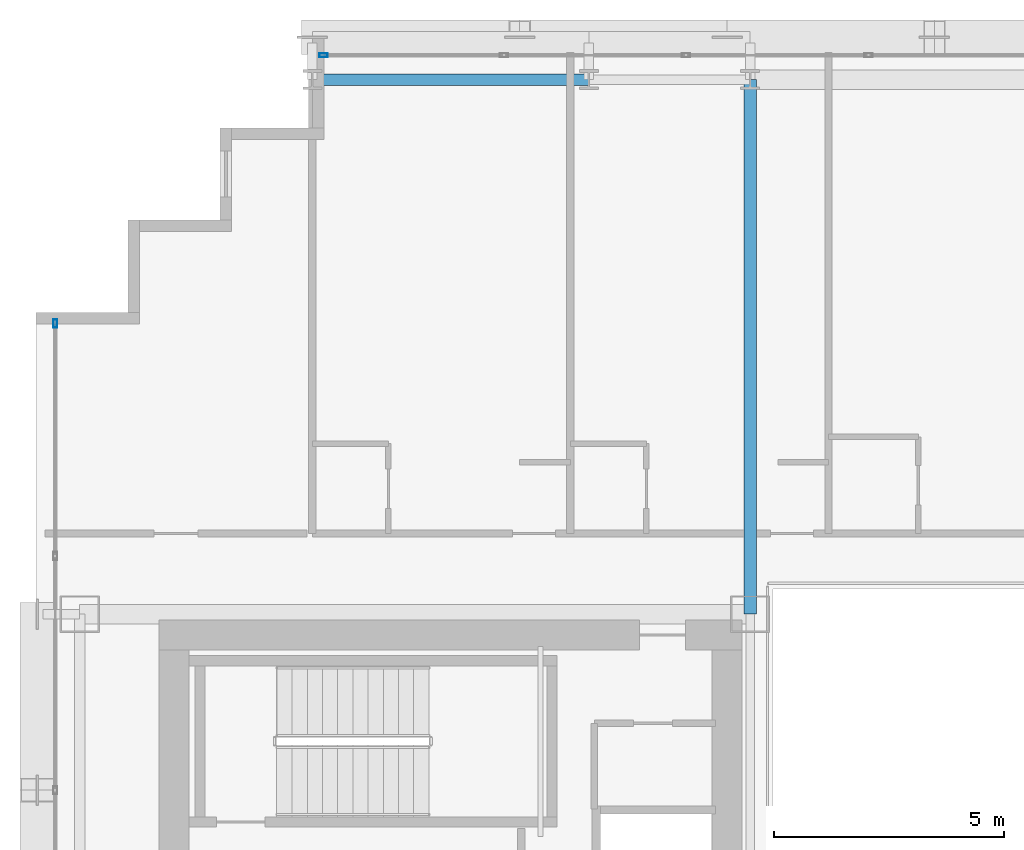
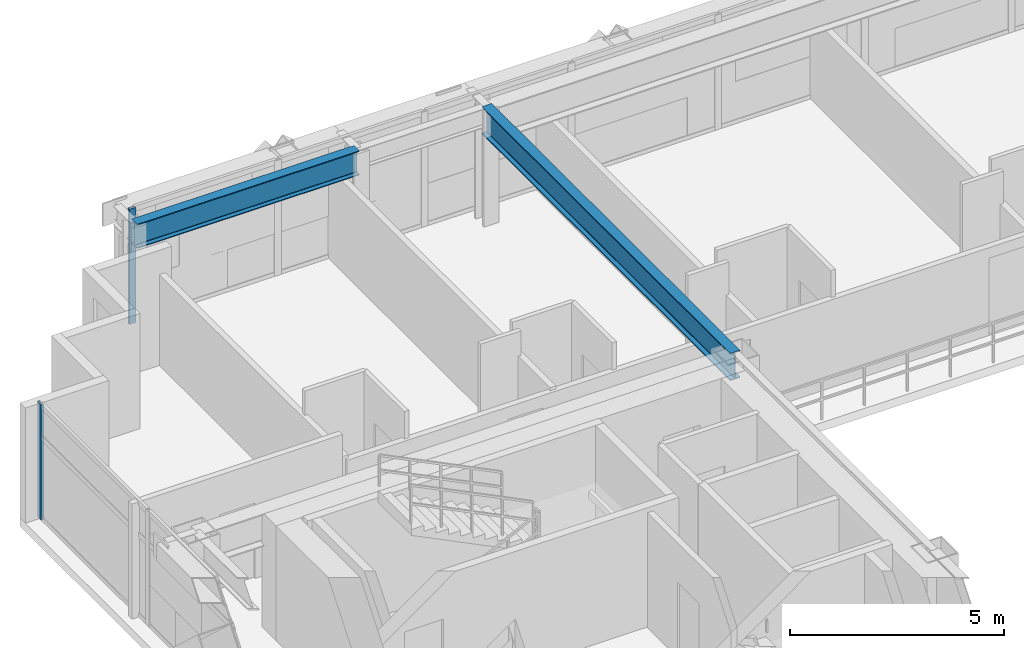
# One storey, part 17 of 36: 2 beams, 2 members, 2 elements without a shape of their own.
"""IFC4 building model written with IfcOpenShell, lengths in metres."""

from ifc_helpers import new_model, si_unit, direction, frame, origin, origin_2d, place, context, subcontext, project, spatial, hollow_rectangle, i_section, extrude, source, transform, mapped, material, layer, layer_set, material_profile, profile_set, type_object, element, aggregate, save


model = new_model("IFC4")

# Units and contexts
model_context = context("Model", 3, precision=1e-05, world=origin(), true_north=direction((0.0, 1.0)))
body_context = subcontext(model_context, "Body", "Model", "MODEL_VIEW")
ifc_project = project(units=[si_unit("LENGTHUNIT", "METRE"), si_unit("AREAUNIT", "SQUARE_METRE"), si_unit("VOLUMEUNIT", "CUBIC_METRE"), si_unit("PLANEANGLEUNIT", "RADIAN"), si_unit("MASSUNIT", "GRAM", prefix="KILO")], contexts=[model_context])

# Site, building, storey
site_placement = place(None, origin())
site = spatial("IfcSite", under=ifc_project, at=site_placement, CompositionType="ELEMENT")
building_placement = place(site_placement, origin())
building = spatial("IfcBuilding", under=site, at=building_placement, Name="Ocotamira Hotel", CompositionType="ELEMENT")
storey_placement = place(building_placement, frame((0.0, 0.0, 147.60009765625)))
storey = spatial("IfcBuildingStorey", under=building, at=storey_placement, Name="L37", CompositionType="ELEMENT", Elevation=147.60009765625)

# Beams
ifc_material_1 = material(Name="Steel ASTM A992 Grade 50", Category="steel")
ifc_material_profile_1 = material_profile(ifc_material_1, i_section(OverallWidth=0.256103515625, OverallDepth=0.693115234375, WebThickness=0.014404296875, FlangeThickness=0.023681640625, FilletRadius=0.01611328125, at=origin_2d()), Name="W27X114")
ifc_profile_set_1 = profile_set([ifc_material_profile_1], Name="Steel ASTM A992 Grade 50")
beam_type_1 = type_object("IfcBeamType", Name="BM-PRIM-W27X114", PredefinedType="BEAM", material=ifc_profile_set_1)
shared_shape_1 = source(origin(), body_context, "Body", "SweptSolid", [
    extrude(i_section(OverallWidth=0.256103515625, OverallDepth=0.693115234375, WebThickness=0.014404296875, FlangeThickness=0.023681640625, FilletRadius=0.01611328125, at=origin_2d()), origin(), (0.0, 0.0, 1.0), 6.0),
])
beam_1_placement = place(storey_placement, frame((14.0, 49.050048828125, 2.933349609375), z_axis=(1.0, 0.0, 0.0), x_axis=(0.0, 1.0, 0.0)))
element("IfcBeam", 1, at=beam_1_placement, inside=storey, type_object=beam_type_1, Name="L37 Girder Y49.05 X14-20", PredefinedType="BEAM", context=body_context, shape_type="MappedRepresentation", body=[
    mapped(shared_shape_1, transform((0.0, 0.0, 0.0), scale=1.0)),
])
ifc_material_profile_2 = material_profile(ifc_material_1, i_section(OverallWidth=0.26611328125, OverallDepth=0.779052734375, WebThickness=0.0166015625, FlangeThickness=0.030029296875, FilletRadius=0.01806640625, at=origin_2d()), Name="W30X148")
ifc_profile_set_2 = profile_set([ifc_material_profile_2], Name="Steel ASTM A992 Grade 50")
beam_type_2 = type_object("IfcBeamType", Name="BM-GIRD-W30X148", PredefinedType="BEAM", material=ifc_profile_set_2)
shared_shape_2 = source(origin(), body_context, "Body", "SweptSolid", [
    extrude(i_section(OverallWidth=0.26611328125, OverallDepth=0.779052734375, WebThickness=0.0166015625, FlangeThickness=0.030029296875, FilletRadius=0.01806640625, at=origin_2d()), origin(), (0.0, 0.0, 1.0), 11.60009765625),
])
beam_2_placement = place(storey_placement, frame((23.5, 37.449951171875, 2.890380859375), z_axis=(0.0, 1.0, 0.0), x_axis=(-1.0, 0.0, 0.0)))
element("IfcBeam", 2, at=beam_2_placement, inside=storey, type_object=beam_type_2, Name="L37 Beam X23.5 Y37.45-49.05", PredefinedType="BEAM", context=body_context, shape_type="MappedRepresentation", body=[
    mapped(shared_shape_2, transform((0.0, 0.0, 0.0), scale=1.0)),
])

# Curtain wall, member
ifc_material_2 = material(Name="Anodised pale-metal aluminium and solar glass", Category="aluminium")
ifc_layer = layer(ifc_material_2, 0.179931640625)
ifc_layer_set = layer_set([ifc_layer], Name="Anodised pale-metal aluminium and solar glass")
curtain_wall_type = type_object("IfcCurtainWallType", Name="CW-SYS3-Z2", PredefinedType="NOTDEFINED", material=ifc_layer_set)
curtain_wall_1_placement = place(storey_placement, origin())
curtain_wall_1 = element("IfcCurtainWall", 3, at=curtain_wall_1_placement, inside=storey, type_object=curtain_wall_type, Name="L37 Curtain Wall CW-3 CW-L37-N", PredefinedType="NOTDEFINED")
ifc_material_3 = material(Name="Anodised pale-metal aluminium 6063-T6", Category="aluminium")
ifc_material_profile_3 = material_profile(ifc_material_3, hollow_rectangle(XDim=0.080078125, YDim=0.179931640625, WallThickness=0.006103515625, at=origin_2d()), Name="HSS180X80X6")
ifc_profile_set_3 = profile_set([ifc_material_profile_3], Name="Anodised pale-metal aluminium 6063-T6")
member_type = type_object("IfcMemberType", Name="CWM-180X75", PredefinedType="MULLION", material=ifc_profile_set_3)
shared_shape_3 = source(origin(), body_context, "Body", "SweptSolid", [
    extrude(hollow_rectangle(XDim=0.080078125, YDim=0.179931640625, WallThickness=0.006103515625, at=origin_2d()), origin(), (0.0, 0.0, 1.0), 3.27978515625),
])
member_1_placement = place(storey_placement, frame((14.239990234375, 49.580078125, 0.0), z_axis=(0.0, 0.0, 1.0), x_axis=(0.0, 1.0, 0.0)))
member_1 = element("IfcMember", 4, at=member_1_placement, type_object=member_type, Name="CW-3 mullion 1", PredefinedType="MULLION", context=body_context, shape_type="MappedRepresentation", body=[
    mapped(shared_shape_3, transform((0.0, 0.0, 0.0), scale=1.0)),
])
aggregate(curtain_wall_1, [member_1])

curtain_wall_2_placement = place(storey_placement, origin())
curtain_wall_2 = element("IfcCurtainWall", 5, at=curtain_wall_2_placement, inside=storey, type_object=curtain_wall_type, Name="L37 Curtain Wall CW-3 CW-L37-W", PredefinedType="NOTDEFINED")
member_2_placement = place(storey_placement, frame((8.419921875, 43.760009765625, 0.0), z_axis=(0.0, 0.0, 1.0), x_axis=(-1.0, 0.0, 0.0)))
member_2 = element("IfcMember", 6, at=member_2_placement, type_object=member_type, Name="CW-3 mullion 8", PredefinedType="MULLION", context=body_context, shape_type="MappedRepresentation", body=[
    mapped(shared_shape_3, transform((0.0, 0.0, 0.0), scale=1.0)),
])
aggregate(curtain_wall_2, [member_2])

save(model, "model.ifc")
